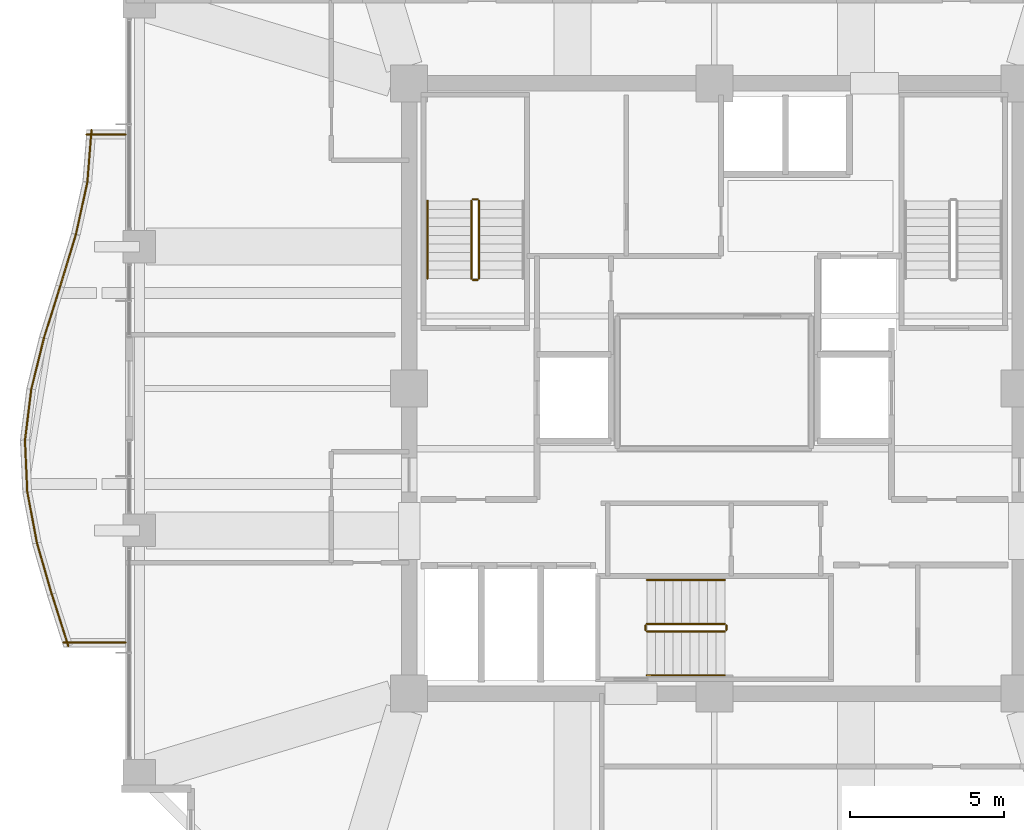
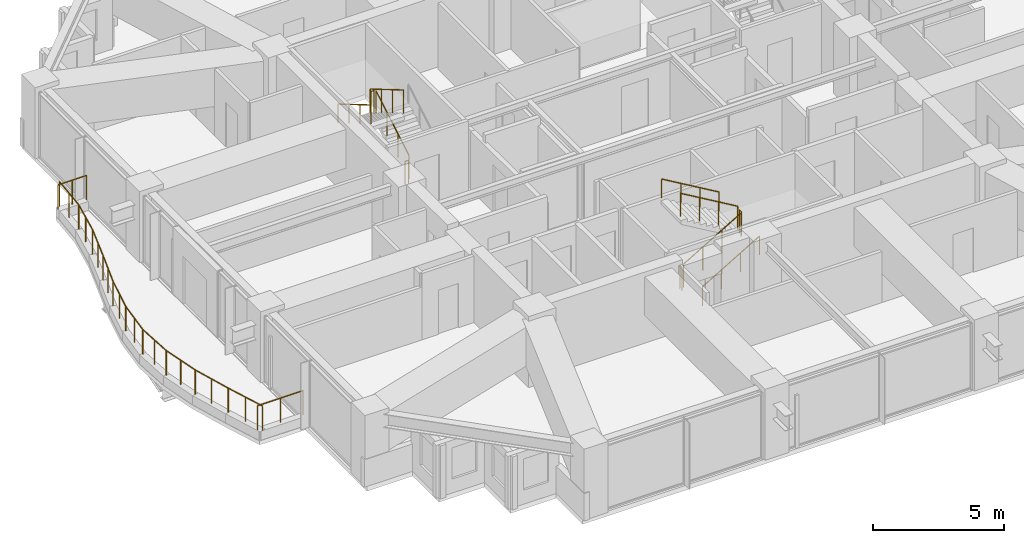
# One storey, part 35 of 36: 23 railings.
"""IFC4 building model written with IfcOpenShell, lengths in metres."""

from ifc_helpers import new_model, si_unit, direction, frame, origin, origin_2d, place, context, subcontext, project, spatial, circle, extrude, material, type_object, element, save


model = new_model("IFC4")

# Units and contexts
model_context = context("Model", 3, precision=1e-05, world=origin(), true_north=direction((0.0, 1.0)))
body_context = subcontext(model_context, "Body", "Model", "MODEL_VIEW")
ifc_project = project(units=[si_unit("LENGTHUNIT", "METRE"), si_unit("AREAUNIT", "SQUARE_METRE"), si_unit("VOLUMEUNIT", "CUBIC_METRE"), si_unit("PLANEANGLEUNIT", "RADIAN"), si_unit("MASSUNIT", "GRAM", prefix="KILO")], contexts=[model_context])

# Site, building, storey
site_placement = place(None, origin())
site = spatial("IfcSite", under=ifc_project, at=site_placement, CompositionType="ELEMENT")
building_placement = place(site_placement, origin())
building = spatial("IfcBuilding", under=site, at=building_placement, Name="Kolvaren Belvedere", CompositionType="ELEMENT")
storey_placement = place(building_placement, frame((0.0, 0.0, 108.5)))
storey = spatial("IfcBuildingStorey", under=building, at=storey_placement, Name="L31", CompositionType="ELEMENT", Elevation=108.5)

# Railings
ifc_material_1 = material(Name="Anodised pale-metal aluminium & laminated glass guard", Category="aluminium")
railing_type_1 = type_object("IfcRailingType", Name="RL-GUARD-1150", PredefinedType="GUARDRAIL", material=ifc_material_1)
railing_1_placement = place(storey_placement, frame((-20.200439453125, 8.38720703125, 0.3798828125)))
element("IfcRailing", 1, at=railing_1_placement, inside=storey, type_object=railing_type_1, Name="L31 Exterior Deck Safety Guard BAL-W-1", PredefinedType="GUARDRAIL", context=body_context, shape_type="SweptSolid", body=[
    extrude(circle(Radius=0.02392578125, at=origin_2d()), frame((0.0, 0.0, 1.1259765625), z_axis=(-0.079244268248, -0.99685522818, 0.0), x_axis=(0.99685522818, -0.079244268248, 0.0)), (0.0, 0.0, 1.0), 1.685302734375),
    extrude(circle(Radius=0.02099609375, at=origin_2d()), origin(), (0.0, 0.0, 1.0), 1.101806640625),
    extrude(circle(Radius=0.02099609375, at=origin_2d()), frame((-0.06689453125, -0.83984375, 0.0)), (0.0, 0.0, 1.0), 1.101806640625),
    extrude(circle(Radius=0.02099609375, at=origin_2d()), frame((-0.133544921875, -1.679931640625, 0.0)), (0.0, 0.0, 1.0), 1.101806640625),
])
railing_2_placement = place(storey_placement, frame((-20.33740234375, 6.685791015625, 0.3798828125)))
element("IfcRailing", 2, at=railing_2_placement, inside=storey, type_object=railing_type_1, Name="L31 Exterior Deck Safety Guard BAL-W-2", PredefinedType="GUARDRAIL", context=body_context, shape_type="SweptSolid", body=[
    extrude(circle(Radius=0.02392578125, at=origin_2d()), frame((0.0, 0.0, 1.1259765625), z_axis=(-0.213802724545, -0.976876857632, 0.0), x_axis=(0.976876857632, -0.213802724545, 0.0)), (0.0, 0.0, 1.0), 1.7197265625),
    extrude(circle(Radius=0.02099609375, at=origin_2d()), origin(), (0.0, 0.0, 1.0), 1.101806640625),
    extrude(circle(Radius=0.02099609375, at=origin_2d()), frame((-0.183837890625, -0.83984375, 0.0)), (0.0, 0.0, 1.0), 1.101806640625),
    extrude(circle(Radius=0.02099609375, at=origin_2d()), frame((-0.36767578125, -1.679931640625, 0.0)), (0.0, 0.0, 1.0), 1.101806640625),
])
railing_3_placement = place(storey_placement, frame((-20.708251953125, 4.993408203125, 0.3798828125)))
element("IfcRailing", 3, at=railing_3_placement, inside=storey, type_object=railing_type_1, Name="L31 Exterior Deck Safety Guard BAL-W-3", PredefinedType="GUARDRAIL", context=body_context, shape_type="SweptSolid", body=[
    extrude(circle(Radius=0.02392578125, at=origin_2d()), frame((0.0, 0.0, 1.1259765625), z_axis=(-0.290879426191, -0.956759718748, 0.0), x_axis=(0.956759718748, -0.290879426191, 0.0)), (0.0, 0.0, 1.0), 1.755859375),
    extrude(circle(Radius=0.02099609375, at=origin_2d()), origin(), (0.0, 0.0, 1.0), 1.101806640625),
    extrude(circle(Radius=0.02099609375, at=origin_2d()), frame((-0.25537109375, -0.83984375, 0.0)), (0.0, 0.0, 1.0), 1.101806640625),
    extrude(circle(Radius=0.02099609375, at=origin_2d()), frame((-0.5107421875, -1.679931640625, 0.0)), (0.0, 0.0, 1.0), 1.101806640625),
])
railing_4_placement = place(storey_placement, frame((-21.219482421875, 3.31201171875, 0.3798828125)))
element("IfcRailing", 4, at=railing_4_placement, inside=storey, type_object=railing_type_1, Name="L31 Exterior Deck Safety Guard BAL-W-4", PredefinedType="GUARDRAIL", context=body_context, shape_type="SweptSolid", body=[
    extrude(circle(Radius=0.02392578125, at=origin_2d()), frame((0.0, 0.0, 1.1259765625), z_axis=(-0.299750886874, -0.95401750813, 0.0), x_axis=(0.95401750813, -0.299750886874, 0.0)), (0.0, 0.0, 1.0), 1.760986328125),
    extrude(circle(Radius=0.02099609375, at=origin_2d()), origin(), (0.0, 0.0, 1.0), 1.101806640625),
    extrude(circle(Radius=0.02099609375, at=origin_2d()), frame((-0.263916015625, -0.83984375, 0.0)), (0.0, 0.0, 1.0), 1.101806640625),
    extrude(circle(Radius=0.02099609375, at=origin_2d()), frame((-0.52783203125, -1.679931640625, 0.0)), (0.0, 0.0, 1.0), 1.101806640625),
])
railing_5_placement = place(storey_placement, frame((-21.744384765625, 1.6416015625, 0.3798828125)))
element("IfcRailing", 5, at=railing_5_placement, inside=storey, type_object=railing_type_1, Name="L31 Exterior Deck Safety Guard BAL-W-5", PredefinedType="GUARDRAIL", context=body_context, shape_type="SweptSolid", body=[
    extrude(circle(Radius=0.02392578125, at=origin_2d()), frame((0.0, 0.0, 1.1259765625), z_axis=(-0.239180748277, -0.970975061293, 0.0), x_axis=(0.970975061293, -0.239180748277, 0.0)), (0.0, 0.0, 1.0), 1.730224609375),
    extrude(circle(Radius=0.02099609375, at=origin_2d()), origin(), (0.0, 0.0, 1.0), 1.101806640625),
    extrude(circle(Radius=0.02099609375, at=origin_2d()), frame((-0.20703125, -0.83984375, 0.0)), (0.0, 0.0, 1.0), 1.101806640625),
    extrude(circle(Radius=0.02099609375, at=origin_2d()), frame((-0.413818359375, -1.679931640625, 0.0)), (0.0, 0.0, 1.0), 1.101806640625),
])
railing_6_placement = place(storey_placement, frame((-22.15478515625, -0.01953125, 0.3798828125)))
element("IfcRailing", 6, at=railing_6_placement, inside=storey, type_object=railing_type_1, Name="L31 Exterior Deck Safety Guard BAL-W-6", PredefinedType="GUARDRAIL", context=body_context, shape_type="SweptSolid", body=[
    extrude(circle(Radius=0.02392578125, at=origin_2d()), frame((0.0, 0.0, 1.1259765625), z_axis=(-0.121886315522, -0.99254406758, 0.0), x_axis=(0.99254406758, -0.121886315522, 0.0)), (0.0, 0.0, 1.0), 1.692626953125),
    extrude(circle(Radius=0.02099609375, at=origin_2d()), origin(), (0.0, 0.0, 1.0), 1.101806640625),
    extrude(circle(Radius=0.02099609375, at=origin_2d()), frame((-0.10302734375, -0.83984375, 0.0)), (0.0, 0.0, 1.0), 1.101806640625),
    extrude(circle(Radius=0.02099609375, at=origin_2d()), frame((-0.206298828125, -1.679931640625, 0.0)), (0.0, 0.0, 1.0), 1.101806640625),
])
railing_7_placement = place(storey_placement, frame((-22.360107421875, -1.6728515625, 0.3798828125)))
element("IfcRailing", 7, at=railing_7_placement, inside=storey, type_object=railing_type_1, Name="L31 Exterior Deck Safety Guard BAL-W-7", PredefinedType="GUARDRAIL", context=body_context, shape_type="SweptSolid", body=[
    extrude(circle(Radius=0.02392578125, at=origin_2d()), frame((0.0, 0.0, 1.1259765625), z_axis=(0.045005941428, -0.998986719249, 0.0), x_axis=(0.998986719249, 0.045005941428, 0.0)), (0.0, 0.0, 1.0), 1.681640625),
    extrude(circle(Radius=0.02099609375, at=origin_2d()), origin(), (0.0, 0.0, 1.0), 1.101806640625),
    extrude(circle(Radius=0.02099609375, at=origin_2d()), frame((0.037841796875, -0.83984375, 0.0)), (0.0, 0.0, 1.0), 1.101806640625),
    extrude(circle(Radius=0.02099609375, at=origin_2d()), frame((0.07568359375, -1.679931640625, 0.0)), (0.0, 0.0, 1.0), 1.101806640625),
])
railing_8_placement = place(storey_placement, frame((-22.287109375, -3.330322265625, 0.3798828125)))
element("IfcRailing", 8, at=railing_8_placement, inside=storey, type_object=railing_type_1, Name="L31 Exterior Deck Safety Guard BAL-W-8", PredefinedType="GUARDRAIL", context=body_context, shape_type="SweptSolid", body=[
    extrude(circle(Radius=0.02392578125, at=origin_2d()), frame((0.0, 0.0, 1.1259765625), z_axis=(0.184788595231, -0.982778293957, 0.0), x_axis=(0.982778293957, 0.184788595231, 0.0)), (0.0, 0.0, 1.0), 1.709716796875),
    extrude(circle(Radius=0.02099609375, at=origin_2d()), origin(), (0.0, 0.0, 1.0), 1.101806640625),
    extrude(circle(Radius=0.02099609375, at=origin_2d()), frame((0.157958984375, -0.840087890625, 0.0)), (0.0, 0.0, 1.0), 1.101806640625),
    extrude(circle(Radius=0.02099609375, at=origin_2d()), frame((0.31591796875, -1.68017578125, 0.0)), (0.0, 0.0, 1.0), 1.101806640625),
])
railing_9_placement = place(storey_placement, frame((-21.974609375, -4.99560546875, 0.3798828125)))
element("IfcRailing", 9, at=railing_9_placement, inside=storey, type_object=railing_type_1, Name="L31 Exterior Deck Safety Guard BAL-W-9", PredefinedType="GUARDRAIL", context=body_context, shape_type="SweptSolid", body=[
    extrude(circle(Radius=0.02392578125, at=origin_2d()), frame((0.0, 0.0, 1.1259765625), z_axis=(0.277817391164, -0.960633903819, 0.0), x_axis=(0.960633903819, 0.277817391164, 0.0)), (0.0, 0.0, 1.0), 1.748779296875),
    extrude(circle(Radius=0.02099609375, at=origin_2d()), origin(), (0.0, 0.0, 1.0), 1.101806640625),
    extrude(circle(Radius=0.02099609375, at=origin_2d()), frame((0.242919921875, -0.83984375, 0.0)), (0.0, 0.0, 1.0), 1.101806640625),
    extrude(circle(Radius=0.02099609375, at=origin_2d()), frame((0.48583984375, -1.679931640625, 0.0)), (0.0, 0.0, 1.0), 1.101806640625),
])
railing_10_placement = place(storey_placement, frame((-21.489990234375, -6.67138671875, 0.3798828125)))
element("IfcRailing", 10, at=railing_10_placement, inside=storey, type_object=railing_type_1, Name="L31 Exterior Deck Safety Guard BAL-W-10", PredefinedType="GUARDRAIL", context=body_context, shape_type="SweptSolid", body=[
    extrude(circle(Radius=0.02392578125, at=origin_2d()), frame((0.0, 0.0, 1.1259765625), z_axis=(0.304032153573, -0.952661770826, 0.0), x_axis=(0.952661770826, 0.304032153573, 0.0)), (0.0, 0.0, 1.0), 1.763427734375),
    extrude(circle(Radius=0.02099609375, at=origin_2d()), origin(), (0.0, 0.0, 1.0), 1.101806640625),
    extrude(circle(Radius=0.02099609375, at=origin_2d()), frame((0.26806640625, -0.83984375, 0.0)), (0.0, 0.0, 1.0), 1.101806640625),
    extrude(circle(Radius=0.02099609375, at=origin_2d()), frame((0.5361328125, -1.679931640625, 0.0)), (0.0, 0.0, 1.0), 1.101806640625),
])
railing_11_placement = place(storey_placement, frame((-21.106201171875, -8.239990234375, 0.3798828125)))
element("IfcRailing", 11, at=railing_11_placement, inside=storey, type_object=railing_type_1, Name="L31 Exterior Deck Safety Guard BAL-W-11", PredefinedType="GUARDRAIL", context=body_context, shape_type="SweptSolid", body=[
    extrude(circle(Radius=0.02392578125, at=origin_2d()), frame((0.0, 0.0, 1.1259765625), z_axis=(1.0, 0.0, 0.0), x_axis=(0.0, 1.0, 0.0)), (0.0, 0.0, 1.0), 2.006103515625),
    extrude(circle(Radius=0.02099609375, at=origin_2d()), origin(), (0.0, 0.0, 1.0), 1.101806640625),
    extrude(circle(Radius=0.02099609375, at=origin_2d()), frame((1.0029296875, 0.0, 0.0)), (0.0, 0.0, 1.0), 1.101806640625),
    extrude(circle(Radius=0.02099609375, at=origin_2d()), frame((2.006103515625, 0.0, 0.0)), (0.0, 0.0, 1.0), 1.101806640625),
])
railing_12_placement = place(storey_placement, frame((-19.10009765625, 8.239990234375, 0.3798828125)))
element("IfcRailing", 12, at=railing_12_placement, inside=storey, type_object=railing_type_1, Name="L31 Exterior Deck Safety Guard BAL-W-22", PredefinedType="GUARDRAIL", context=body_context, shape_type="SweptSolid", body=[
    extrude(circle(Radius=0.02392578125, at=origin_2d()), frame((0.0, 0.0, 1.1259765625), z_axis=(-1.0, 0.0, 0.0), x_axis=(0.0, -1.0, 0.0)), (0.0, 0.0, 1.0), 1.260009765625),
    extrude(circle(Radius=0.02099609375, at=origin_2d()), origin(), (0.0, 0.0, 1.0), 1.101806640625),
    extrude(circle(Radius=0.02099609375, at=origin_2d()), frame((-0.6298828125, 0.0, 0.0)), (0.0, 0.0, 1.0), 1.101806640625),
    extrude(circle(Radius=0.02099609375, at=origin_2d()), frame((-1.260009765625, 0.0, 0.0)), (0.0, 0.0, 1.0), 1.101806640625),
])
ifc_material_2 = material(Name="Brushed stainless-steel handrail", Category="steel")
railing_type_2 = type_object("IfcRailingType", Name="RL-HANDRAIL-920", PredefinedType="HANDRAIL", material=ifc_material_2)
railing_13_placement = place(storey_placement, frame((-9.300048828125, 6.090087890625, 1.81494140625)))
element("IfcRailing", 13, at=railing_13_placement, inside=storey, type_object=railing_type_2, Name="L31 ST-1 stair handrail 2", PredefinedType="HANDRAIL", context=body_context, shape_type="SweptSolid", body=[
    extrude(circle(Radius=0.02392578125, at=origin_2d()), frame((0.0, 0.0, 0.8759765625), z_axis=(0.0, -0.86152411907, 0.507716645641), x_axis=(1.0, 0.0, 0.0)), (0.0, 0.0, 1.0), 2.925048828125),
    extrude(circle(Radius=0.02099609375, at=origin_2d()), origin(), (0.0, 0.0, 1.0), 0.851806640625),
    extrude(circle(Radius=0.02099609375, at=origin_2d()), frame((0.0, -0.840087890625, 0.4951171875)), (0.0, 0.0, 1.0), 0.851806640625),
    extrude(circle(Radius=0.02099609375, at=origin_2d()), frame((0.0, -1.679931640625, 0.989990234375)), (0.0, 0.0, 1.0), 0.851806640625),
    extrude(circle(Radius=0.02099609375, at=origin_2d()), frame((0.0, -2.52001953125, 1.485107421875)), (0.0, 0.0, 1.0), 0.851806640625),
])
railing_14_placement = place(storey_placement, frame((-2.179931640625, -9.300048828125, 0.1650390625)))
element("IfcRailing", 14, at=railing_14_placement, inside=storey, type_object=railing_type_2, Name="L31 ST-3 stair handrail 1", PredefinedType="HANDRAIL", context=body_context, shape_type="SweptSolid", body=[
    extrude(circle(Radius=0.02392578125, at=origin_2d()), frame((0.0, 0.0, 0.8759765625), z_axis=(0.861560626758, 0.0, 0.507654692109), x_axis=(0.0, 1.0, 0.0)), (0.0, 0.0, 1.0), 2.925048828125),
    extrude(circle(Radius=0.02099609375, at=origin_2d()), origin(), (0.0, 0.0, 1.0), 0.851806640625),
    extrude(circle(Radius=0.02099609375, at=origin_2d()), frame((0.840087890625, 0.0, 0.494873046875)), (0.0, 0.0, 1.0), 0.851806640625),
    extrude(circle(Radius=0.02099609375, at=origin_2d()), frame((1.679931640625, 0.0, 0.989990234375)), (0.0, 0.0, 1.0), 0.851806640625),
    extrude(circle(Radius=0.02099609375, at=origin_2d()), frame((2.52001953125, 0.0, 1.48486328125)), (0.0, 0.0, 1.0), 0.851806640625),
])
railing_15_placement = place(storey_placement, frame((0.340087890625, -6.2099609375, 1.81494140625)))
element("IfcRailing", 15, at=railing_15_placement, inside=storey, type_object=railing_type_2, Name="L31 ST-3 stair handrail 2", PredefinedType="HANDRAIL", context=body_context, shape_type="SweptSolid", body=[
    extrude(circle(Radius=0.02392578125, at=origin_2d()), frame((0.0, 0.0, 0.8759765625), z_axis=(-0.86152411907, 0.0, 0.507716645641), x_axis=(0.0, -1.0, 0.0)), (0.0, 0.0, 1.0), 2.925048828125),
    extrude(circle(Radius=0.02099609375, at=origin_2d()), origin(), (0.0, 0.0, 1.0), 0.851806640625),
    extrude(circle(Radius=0.02099609375, at=origin_2d()), frame((-0.840087890625, 0.0, 0.4951171875)), (0.0, 0.0, 1.0), 0.851806640625),
    extrude(circle(Radius=0.02099609375, at=origin_2d()), frame((-1.679931640625, 0.0, 0.989990234375)), (0.0, 0.0, 1.0), 0.851806640625),
    extrude(circle(Radius=0.02099609375, at=origin_2d()), frame((-2.52001953125, 0.0, 1.485107421875)), (0.0, 0.0, 1.0), 0.851806640625),
])
ifc_material_3 = material(Name="Painted tubular steel stair guard", Category="steel")
railing_type_3 = type_object("IfcRailingType", Name="RL-STGUARD-1100", PredefinedType="GUARDRAIL", material=ifc_material_3)
railing_16_placement = place(storey_placement, frame((-7.6298828125, 3.570068359375, 0.1650390625)))
element("IfcRailing", 16, at=railing_16_placement, inside=storey, type_object=railing_type_3, Name="L31 ST-1 stair guard 1", PredefinedType="GUARDRAIL", context=body_context, shape_type="SweptSolid", body=[
    extrude(circle(Radius=0.02392578125, at=origin_2d()), frame((0.0, 0.0, 1.076171875), z_axis=(0.0, 0.861560626758, 0.507654692109), x_axis=(-1.0, 0.0, 0.0)), (0.0, 0.0, 1.0), 2.925048828125),
    extrude(circle(Radius=0.02099609375, at=origin_2d()), origin(), (0.0, 0.0, 1.0), 1.052001953125),
    extrude(circle(Radius=0.02099609375, at=origin_2d()), frame((0.0, 0.840087890625, 0.494873046875)), (0.0, 0.0, 1.0), 1.052001953125),
    extrude(circle(Radius=0.02099609375, at=origin_2d()), frame((0.0, 1.679931640625, 0.989990234375)), (0.0, 0.0, 1.0), 1.052001953125),
    extrude(circle(Radius=0.02099609375, at=origin_2d()), frame((0.0, 2.52001953125, 1.48486328125)), (0.0, 0.0, 1.0), 1.052001953125),
])
railing_17_placement = place(storey_placement, frame((-7.679931640625, 6.139892578125, 1.64990234375)))
element("IfcRailing", 17, at=railing_17_placement, inside=storey, type_object=railing_type_3, Name="L31 ST-1 stair guard 2", PredefinedType="GUARDRAIL", context=body_context, shape_type="SweptSolid", body=[
    extrude(circle(Radius=0.02392578125, at=origin_2d()), frame((0.0, 0.0, 1.076171875), z_axis=(-1.0, 0.0, 0.0), x_axis=(0.0, -1.0, 0.0)), (0.0, 0.0, 1.0), 0.150146484375),
    extrude(circle(Radius=0.02099609375, at=origin_2d()), origin(), (0.0, 0.0, 1.0), 1.052001953125),
    extrude(circle(Radius=0.02099609375, at=origin_2d()), frame((-0.150146484375, 0.0, 0.0)), (0.0, 0.0, 1.0), 1.052001953125),
])
railing_18_placement = place(storey_placement, frame((-7.8798828125, 6.090087890625, 1.81494140625)))
element("IfcRailing", 18, at=railing_18_placement, inside=storey, type_object=railing_type_3, Name="L31 ST-1 stair guard 3", PredefinedType="GUARDRAIL", context=body_context, shape_type="SweptSolid", body=[
    extrude(circle(Radius=0.02392578125, at=origin_2d()), frame((0.0, 0.0, 1.076171875), z_axis=(0.0, -0.86152411907, 0.507716645641), x_axis=(1.0, 0.0, 0.0)), (0.0, 0.0, 1.0), 2.925048828125),
    extrude(circle(Radius=0.02099609375, at=origin_2d()), origin(), (0.0, 0.0, 1.0), 1.052001953125),
    extrude(circle(Radius=0.02099609375, at=origin_2d()), frame((0.0, -0.840087890625, 0.4951171875)), (0.0, 0.0, 1.0), 1.052001953125),
    extrude(circle(Radius=0.02099609375, at=origin_2d()), frame((0.0, -1.679931640625, 0.989990234375)), (0.0, 0.0, 1.0), 1.052001953125),
    extrude(circle(Radius=0.02099609375, at=origin_2d()), frame((0.0, -2.52001953125, 1.485107421875)), (0.0, 0.0, 1.0), 1.052001953125),
])
railing_19_placement = place(storey_placement, frame((-7.679931640625, 3.52001953125, 0.0)))
element("IfcRailing", 19, at=railing_19_placement, inside=storey, type_object=railing_type_3, Name="L31 ST-1 stair guard 4", PredefinedType="GUARDRAIL", context=body_context, shape_type="SweptSolid", body=[
    extrude(circle(Radius=0.02392578125, at=origin_2d()), frame((0.0, 0.0, 1.076171875), z_axis=(-1.0, 0.0, 0.0), x_axis=(0.0, -1.0, 0.0)), (0.0, 0.0, 1.0), 0.150146484375),
    extrude(circle(Radius=0.02099609375, at=origin_2d()), origin(), (0.0, 0.0, 1.0), 1.052001953125),
    extrude(circle(Radius=0.02099609375, at=origin_2d()), frame((-0.150146484375, 0.0, 0.0)), (0.0, 0.0, 1.0), 1.052001953125),
])
railing_20_placement = place(storey_placement, frame((-2.179931640625, -7.8798828125, 0.1650390625)))
element("IfcRailing", 20, at=railing_20_placement, inside=storey, type_object=railing_type_3, Name="L31 ST-3 stair guard 1", PredefinedType="GUARDRAIL", context=body_context, shape_type="SweptSolid", body=[
    extrude(circle(Radius=0.02392578125, at=origin_2d()), frame((0.0, 0.0, 1.076171875), z_axis=(0.861560626758, 0.0, 0.507654692109), x_axis=(0.0, 1.0, 0.0)), (0.0, 0.0, 1.0), 2.925048828125),
    extrude(circle(Radius=0.02099609375, at=origin_2d()), origin(), (0.0, 0.0, 1.0), 1.052001953125),
    extrude(circle(Radius=0.02099609375, at=origin_2d()), frame((0.840087890625, 0.0, 0.494873046875)), (0.0, 0.0, 1.0), 1.052001953125),
    extrude(circle(Radius=0.02099609375, at=origin_2d()), frame((1.679931640625, 0.0, 0.989990234375)), (0.0, 0.0, 1.0), 1.052001953125),
    extrude(circle(Radius=0.02099609375, at=origin_2d()), frame((2.52001953125, 0.0, 1.48486328125)), (0.0, 0.0, 1.0), 1.052001953125),
])
railing_21_placement = place(storey_placement, frame((0.389892578125, -7.830078125, 1.64990234375)))
element("IfcRailing", 21, at=railing_21_placement, inside=storey, type_object=railing_type_3, Name="L31 ST-3 stair guard 2", PredefinedType="GUARDRAIL", context=body_context, shape_type="SweptSolid", body=[
    extrude(circle(Radius=0.02392578125, at=origin_2d()), frame((0.0, 0.0, 1.076171875), z_axis=(0.0, 1.0, 0.0), x_axis=(-1.0, 0.0, 0.0)), (0.0, 0.0, 1.0), 0.150146484375),
    extrude(circle(Radius=0.02099609375, at=origin_2d()), origin(), (0.0, 0.0, 1.0), 1.052001953125),
    extrude(circle(Radius=0.02099609375, at=origin_2d()), frame((0.0, 0.150146484375, 0.0)), (0.0, 0.0, 1.0), 1.052001953125),
])
railing_22_placement = place(storey_placement, frame((0.340087890625, -7.6298828125, 1.81494140625)))
element("IfcRailing", 22, at=railing_22_placement, inside=storey, type_object=railing_type_3, Name="L31 ST-3 stair guard 3", PredefinedType="GUARDRAIL", context=body_context, shape_type="SweptSolid", body=[
    extrude(circle(Radius=0.02392578125, at=origin_2d()), frame((0.0, 0.0, 1.076171875), z_axis=(-0.86152411907, 0.0, 0.507716645641), x_axis=(0.0, -1.0, 0.0)), (0.0, 0.0, 1.0), 2.925048828125),
    extrude(circle(Radius=0.02099609375, at=origin_2d()), origin(), (0.0, 0.0, 1.0), 1.052001953125),
    extrude(circle(Radius=0.02099609375, at=origin_2d()), frame((-0.840087890625, 0.0, 0.4951171875)), (0.0, 0.0, 1.0), 1.052001953125),
    extrude(circle(Radius=0.02099609375, at=origin_2d()), frame((-1.679931640625, 0.0, 0.989990234375)), (0.0, 0.0, 1.0), 1.052001953125),
    extrude(circle(Radius=0.02099609375, at=origin_2d()), frame((-2.52001953125, 0.0, 1.485107421875)), (0.0, 0.0, 1.0), 1.052001953125),
])
railing_23_placement = place(storey_placement, frame((-2.22998046875, -7.830078125, 0.0)))
element("IfcRailing", 23, at=railing_23_placement, inside=storey, type_object=railing_type_3, Name="L31 ST-3 stair guard 4", PredefinedType="GUARDRAIL", context=body_context, shape_type="SweptSolid", body=[
    extrude(circle(Radius=0.02392578125, at=origin_2d()), frame((0.0, 0.0, 1.076171875), z_axis=(0.0, 1.0, 0.0), x_axis=(-1.0, 0.0, 0.0)), (0.0, 0.0, 1.0), 0.150146484375),
    extrude(circle(Radius=0.02099609375, at=origin_2d()), origin(), (0.0, 0.0, 1.0), 1.052001953125),
    extrude(circle(Radius=0.02099609375, at=origin_2d()), frame((0.0, 0.150146484375, 0.0)), (0.0, 0.0, 1.0), 1.052001953125),
])

save(model, "model.ifc")
